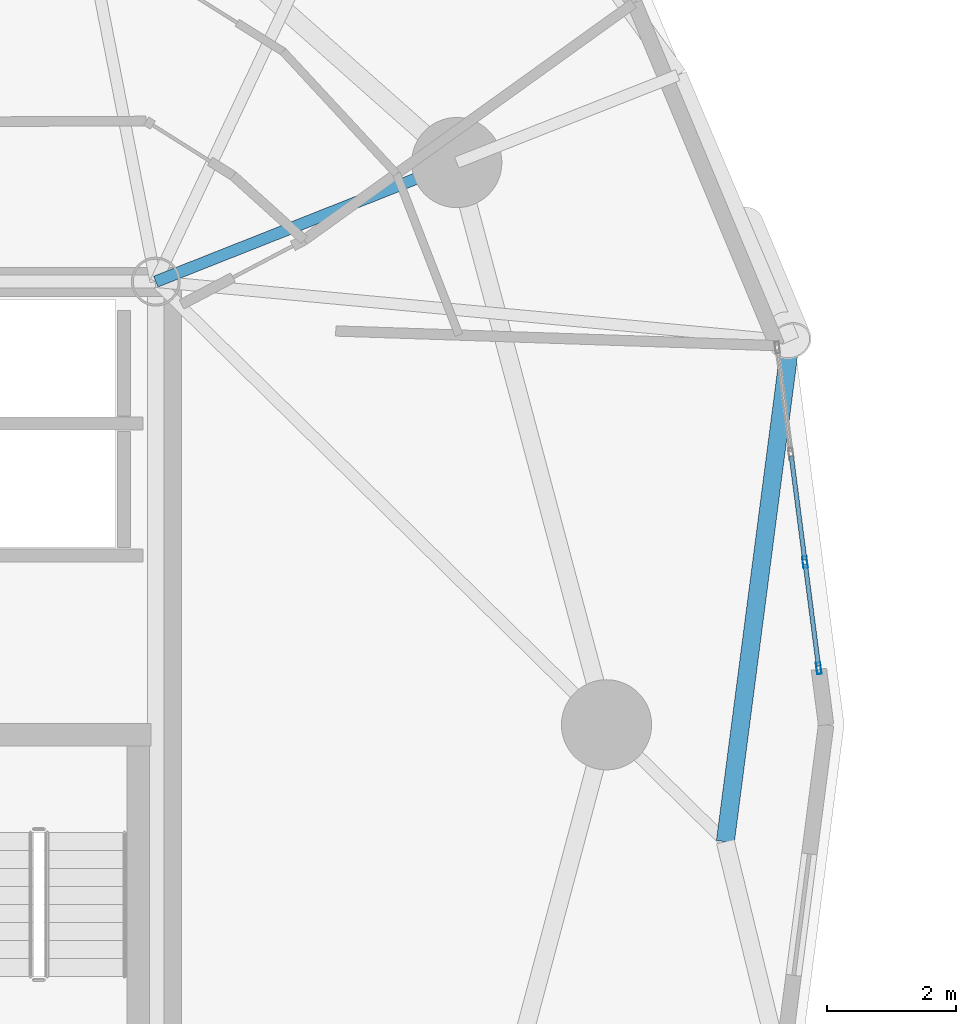
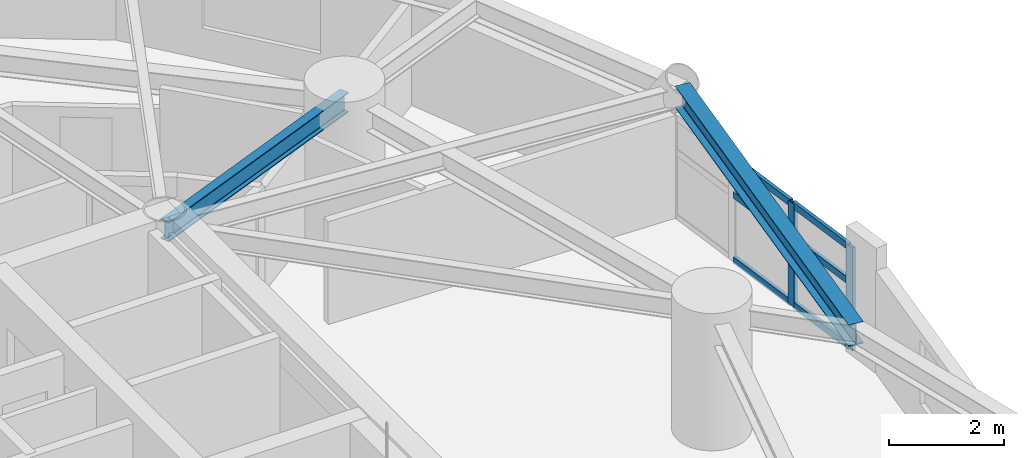
# One storey, part 2 of 17: 8 members, 2 beams, 1 element without a shape of its own.
"""IFC4 building model written with IfcOpenShell, lengths in metres."""

from ifc_helpers import new_model, si_unit, direction, frame, origin, origin_2d, place, context, subcontext, project, spatial, hollow_rectangle, i_section, extrude, material, layer, layer_set, material_profile, profile_set, type_object, element, aggregate, save


model = new_model("IFC4")

# Units and contexts
model_context = context("Model", 3, precision=1e-05, world=origin(), true_north=direction((0.0, 1.0)))
body_context = subcontext(model_context, "Body", "Model", "MODEL_VIEW")
ifc_project = project(units=[si_unit("LENGTHUNIT", "METRE"), si_unit("AREAUNIT", "SQUARE_METRE"), si_unit("VOLUMEUNIT", "CUBIC_METRE"), si_unit("PLANEANGLEUNIT", "RADIAN"), si_unit("MASSUNIT", "GRAM", prefix="KILO")], contexts=[model_context])

# Site, building, storey
site_placement = place(None, origin())
site = spatial("IfcSite", under=ifc_project, at=site_placement, CompositionType="ELEMENT")
building_placement = place(site_placement, origin())
building = spatial("IfcBuilding", under=site, at=building_placement, Name="Cununo Teusaquillo Station Towers", CompositionType="ELEMENT")
storey_placement = place(building_placement, frame((0.0, 0.0, 107.97998046875)))
storey = spatial("IfcBuildingStorey", under=building, at=storey_placement, Name="L34", CompositionType="ELEMENT", Elevation=107.97998046875)

# Beams
ifc_material_1 = material(Name="Steel ASTM A572 Grade 50", Category="steel")
ifc_material_profile_1 = material_profile(ifc_material_1, i_section(OverallWidth=0.180908203125, OverallDepth=0.4169921875, WebThickness=0.010986328125, FlangeThickness=0.018310546875, FilletRadius=0.012939453125, at=origin_2d()), Name="W16X57")
ifc_profile_set_1 = profile_set([ifc_material_profile_1], Name="Steel ASTM A572 Grade 50")
beam_type_1 = type_object("IfcBeamType", Name="BM-RAD-G2", PredefinedType="BEAM", material=ifc_profile_set_1)
beam_1_placement = place(storey_placement, frame((21.675048828125, 31.3798828125, 2.46142578125), z_axis=(0.929864104313, 0.367903176814, 0.0), x_axis=(-0.367903176814, 0.929864104313, 0.0)))
element("IfcBeam", 1, at=beam_1_placement, inside=storey, type_object=beam_type_1, Name="L34 Tower A Radial Girder 02A", PredefinedType="BEAM", context=body_context, shape_type="SweptSolid", body=[
    extrude(i_section(OverallWidth=0.180908203125, OverallDepth=0.4169921875, WebThickness=0.010986328125, FlangeThickness=0.018310546875, FilletRadius=0.012939453125, at=origin_2d()), origin(), (0.0, 0.0, 1.0), 5.02490234375),
])
ifc_material_2 = material(Name="Steel ASTM A572 Grade 50", Category="steel")
ifc_material_profile_2 = material_profile(ifc_material_2, i_section(OverallWidth=0.280029296875, OverallDepth=0.462890625, WebThickness=0.0107421875, FlangeThickness=0.017333984375, FilletRadius=0.013916015625, at=origin_2d()), Name="W18X76")
ifc_profile_set_2 = profile_set([ifc_material_profile_2], Name="Steel ASTM A572 Grade 50")
beam_type_2 = type_object("IfcBeamType", Name="BM-RING-Z2", PredefinedType="SPANDREL", material=ifc_profile_set_2)
beam_2_placement = place(storey_placement, frame((30.51708984375, 22.685791015625, 2.4384765625), z_axis=(0.12888124113, 0.991660035337, 0.0), x_axis=(-0.991660035337, 0.12888124113, 0.0)))
element("IfcBeam", 2, at=beam_2_placement, inside=storey, type_object=beam_type_2, Name="L34 Tower A Spandrel Ring Beam 01", PredefinedType="SPANDREL", context=body_context, shape_type="SweptSolid", body=[
    extrude(i_section(OverallWidth=0.280029296875, OverallDepth=0.462890625, WebThickness=0.0107421875, FlangeThickness=0.017333984375, FilletRadius=0.013916015625, at=origin_2d()), origin(), (0.0, 0.0, 1.0), 7.840576171875),
])

# Curtain wall, members
ifc_material_3 = material(Name="Ceramic-fritted dark low-E double glazing", Category="glass")
ifc_layer = layer(ifc_material_3, 0.179931640625)
ifc_layer_set = layer_set([ifc_layer], Name="Ceramic-fritted dark low-E double glazing")
curtain_wall_type = type_object("IfcCurtainWallType", Name="CW-SYS-04", PredefinedType="USERDEFINED", material=ifc_layer_set)
curtain_wall_placement = place(storey_placement, origin())
curtain_wall = element("IfcCurtainWall", 3, at=curtain_wall_placement, inside=storey, type_object=curtain_wall_type, Name="L34 Tower A Facade Curtain Wall C00", ObjectType="FRITTED GLAZING", PredefinedType="USERDEFINED")
ifc_material_4 = material(Name="Anodised dark bronze aluminium EN AW-6063-T6", Category="aluminium")
ifc_material_profile_3 = material_profile(ifc_material_4, hollow_rectangle(XDim=0.070068359375, YDim=0.179931640625, WallThickness=0.00390625, at=origin_2d()), Name="CW-MULL-70x180")
ifc_profile_set_3 = profile_set([ifc_material_profile_3], Name="Anodised dark bronze aluminium EN AW-6063-T6")
member_type_1 = type_object("IfcMemberType", Name="CWM-180", PredefinedType="MULLION", material=ifc_profile_set_3)
member_1_placement = place(storey_placement, frame((31.754150390625, 27.0263671875, 0.0), z_axis=(0.0, 0.0, 1.0), x_axis=(0.991730764367, 0.128335852387, 0.0)))
member_1 = element("IfcMember", 4, at=member_1_placement, type_object=member_type_1, Name="CW-04 mullion 3", PredefinedType="MULLION", context=body_context, shape_type="SweptSolid", body=[
    extrude(hollow_rectangle(XDim=0.070068359375, YDim=0.179931640625, WallThickness=0.00390625, at=origin_2d()), origin(), (0.0, 0.0, 1.0), 2.178955078125),
])
member_2_placement = place(storey_placement, frame((31.967529296875, 25.377685546875, 0.0), z_axis=(0.0, 0.0, 1.0), x_axis=(0.991730764367, 0.128335852387, 0.0)))
member_2 = element("IfcMember", 5, at=member_2_placement, type_object=member_type_1, Name="CW-04 mullion 4", PredefinedType="MULLION", context=body_context, shape_type="SweptSolid", body=[
    extrude(hollow_rectangle(XDim=0.070068359375, YDim=0.179931640625, WallThickness=0.00390625, at=origin_2d()), origin(), (0.0, 0.0, 1.0), 2.178955078125),
])
ifc_material_5 = material(Name="Anodised dark bronze aluminium EN AW-6063-T6", Category="aluminium")
ifc_material_profile_4 = material_profile(ifc_material_5, hollow_rectangle(XDim=0.070068359375, YDim=0.139892578125, WallThickness=0.00390625, at=origin_2d()), Name="CW-TRAN-70x140")
ifc_profile_set_4 = profile_set([ifc_material_profile_4], Name="Anodised dark bronze aluminium EN AW-6063-T6")
member_type_2 = type_object("IfcMemberType", Name="CWT-140", PredefinedType="USERDEFINED", material=ifc_profile_set_4)
member_3_placement = place(storey_placement, frame((31.540771484375, 28.675048828125, 0.034912109375), z_axis=(0.128261686134, -0.991740359101, 0.0), x_axis=(0.991740359101, 0.128261686134, 0.0)))
member_3 = element("IfcMember", 6, at=member_3_placement, type_object=member_type_2, Name="CW-04 transom 2.1", ObjectType="TRANSOM", PredefinedType="USERDEFINED", context=body_context, shape_type="SweptSolid", body=[
    extrude(hollow_rectangle(XDim=0.070068359375, YDim=0.139892578125, WallThickness=0.00390625, at=origin_2d()), origin(), (0.0, 0.0, 1.0), 1.62744140625),
])
member_4_placement = place(storey_placement, frame((31.540771484375, 28.675048828125, 1.416015625), z_axis=(0.128261686134, -0.991740359101, 0.0), x_axis=(0.991740359101, 0.128261686134, 0.0)))
member_4 = element("IfcMember", 7, at=member_4_placement, type_object=member_type_2, Name="CW-04 transom 2.2", ObjectType="TRANSOM", PredefinedType="USERDEFINED", context=body_context, shape_type="SweptSolid", body=[
    extrude(hollow_rectangle(XDim=0.070068359375, YDim=0.139892578125, WallThickness=0.00390625, at=origin_2d()), origin(), (0.0, 0.0, 1.0), 1.62744140625),
])
member_5_placement = place(storey_placement, frame((31.540771484375, 28.675048828125, 2.14404296875), z_axis=(0.128261686134, -0.991740359101, 0.0), x_axis=(0.991740359101, 0.128261686134, 0.0)))
member_5 = element("IfcMember", 8, at=member_5_placement, type_object=member_type_2, Name="CW-04 transom 2.3", ObjectType="TRANSOM", PredefinedType="USERDEFINED", context=body_context, shape_type="SweptSolid", body=[
    extrude(hollow_rectangle(XDim=0.070068359375, YDim=0.139892578125, WallThickness=0.00390625, at=origin_2d()), origin(), (0.0, 0.0, 1.0), 1.62744140625),
])
member_6_placement = place(storey_placement, frame((31.758544921875, 26.99169921875, 0.034912109375), z_axis=(0.128316698748, -0.991733242774, 0.0), x_axis=(0.991733242774, 0.128316698748, 0.0)))
member_6 = element("IfcMember", 9, at=member_6_placement, type_object=member_type_2, Name="CW-04 transom 3.1", ObjectType="TRANSOM", PredefinedType="USERDEFINED", context=body_context, shape_type="SweptSolid", body=[
    extrude(hollow_rectangle(XDim=0.070068359375, YDim=0.139892578125, WallThickness=0.00390625, at=origin_2d()), origin(), (0.0, 0.0, 1.0), 1.592529296875),
])
member_7_placement = place(storey_placement, frame((31.758544921875, 26.99169921875, 1.416015625), z_axis=(0.128316698748, -0.991733242774, 0.0), x_axis=(0.991733242774, 0.128316698748, 0.0)))
member_7 = element("IfcMember", 10, at=member_7_placement, type_object=member_type_2, Name="CW-04 transom 3.2", ObjectType="TRANSOM", PredefinedType="USERDEFINED", context=body_context, shape_type="SweptSolid", body=[
    extrude(hollow_rectangle(XDim=0.070068359375, YDim=0.139892578125, WallThickness=0.00390625, at=origin_2d()), origin(), (0.0, 0.0, 1.0), 1.592529296875),
])
member_8_placement = place(storey_placement, frame((31.758544921875, 26.99169921875, 2.14404296875), z_axis=(0.128316698748, -0.991733242774, 0.0), x_axis=(0.991733242774, 0.128316698748, 0.0)))
member_8 = element("IfcMember", 11, at=member_8_placement, type_object=member_type_2, Name="CW-04 transom 3.3", ObjectType="TRANSOM", PredefinedType="USERDEFINED", context=body_context, shape_type="SweptSolid", body=[
    extrude(hollow_rectangle(XDim=0.070068359375, YDim=0.139892578125, WallThickness=0.00390625, at=origin_2d()), origin(), (0.0, 0.0, 1.0), 1.592529296875),
])
aggregate(curtain_wall, [member_1, member_2, member_3, member_4, member_5, member_6, member_7, member_8])

save(model, "model.ifc")
